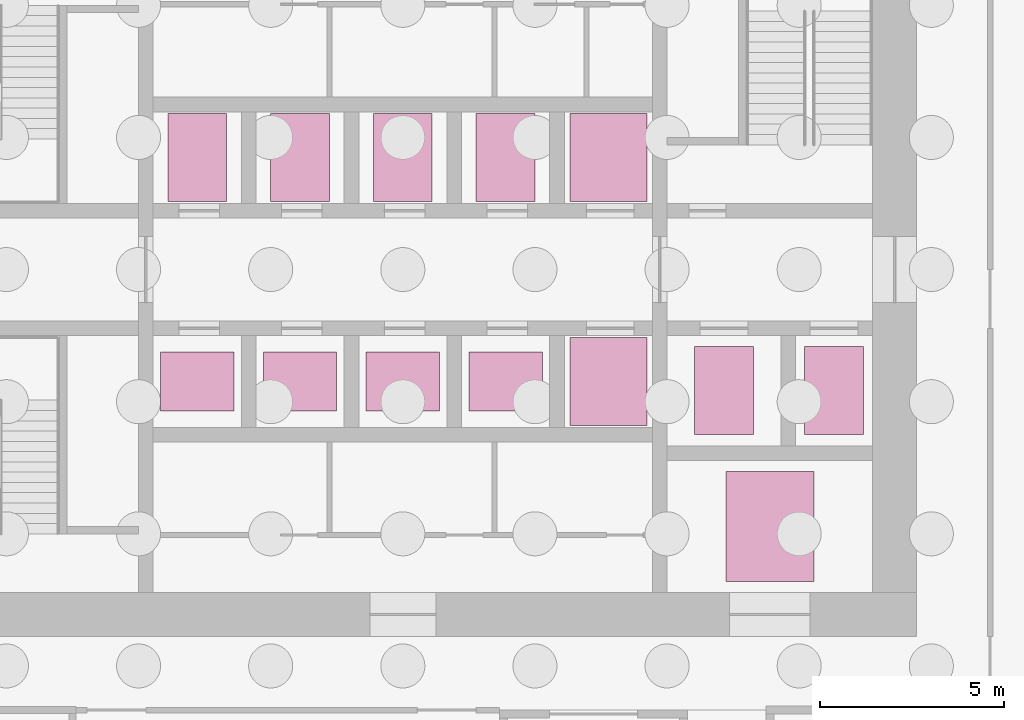
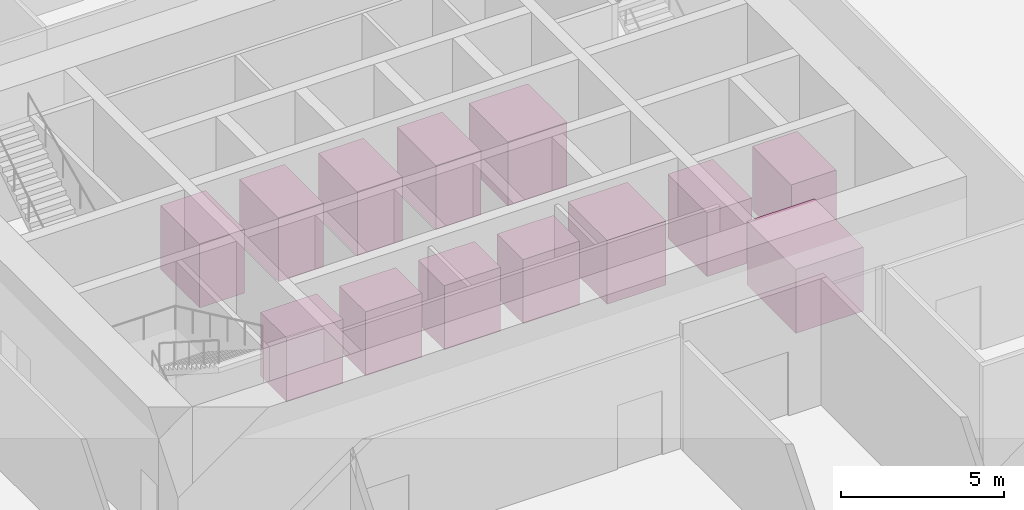
# One storey, part 29 of 29: 13 transport elements.
"""IFC4 building model written with IfcOpenShell, lengths in metres."""

from ifc_helpers import new_model, si_unit, direction, frame, origin, origin_2d, place, context, subcontext, project, spatial, rectangle, extrude, material, type_object, element, save


model = new_model("IFC4")

# Units and contexts
model_context = context("Model", 3, precision=1e-05, world=origin(), true_north=direction((0.0, 1.0)))
body_context = subcontext(model_context, "Body", "Model", "MODEL_VIEW")
ifc_project = project(units=[si_unit("LENGTHUNIT", "METRE"), si_unit("AREAUNIT", "SQUARE_METRE"), si_unit("VOLUMEUNIT", "CUBIC_METRE"), si_unit("PLANEANGLEUNIT", "RADIAN"), si_unit("MASSUNIT", "GRAM", prefix="KILO")], contexts=[model_context])

# Site, building, storey
site_placement = place(None, origin())
site = spatial("IfcSite", under=ifc_project, at=site_placement, CompositionType="ELEMENT")
building_placement = place(site_placement, origin())
building = spatial("IfcBuilding", under=site, at=building_placement, Name="Ghaith Harvest Tower", CompositionType="ELEMENT")
storey_placement = place(building_placement, origin())
storey = spatial("IfcBuildingStorey", under=building, at=storey_placement, Name="L00", CompositionType="ELEMENT", Elevation=0.0)

# Transport elements
ifc_material_1 = material(Name="Steel lift car", Category="steel")
transport_element_type_1 = type_object("IfcTransportElementType", Name="FIRE LIFT CAR 1600x2400", PredefinedType="ELEVATOR", material=ifc_material_1)
for number, where, z_axis, x_axis, name in (
    (1, (8.75, -3.300048828125, 0.0), (0.0, 0.0, 1.0), (1.0, 0.0, 0.0), "Firefighting lift FL1"),
    (2, (11.75, -3.300048828125, 0.0), (0.0, 0.0, 1.0), (1.0, 0.0, 0.0), "Firefighting lift FL2"),
):
    element("IfcTransportElement", number, at=place(storey_placement, frame(where, z_axis=z_axis, x_axis=x_axis)), inside=storey, type_object=transport_element_type_1, Name=name, PredefinedType="ELEVATOR", context=body_context, shape_type="SweptSolid", body=[
        extrude(rectangle(XDim=1.60009765625, YDim=2.39990234375, at=origin_2d()), origin(), (0.0, 0.0, 1.0), 2.39990234375),
    ])
ifc_material_2 = material(Name="Steel lift car", Category="steel")
transport_element_type_2 = type_object("IfcTransportElementType", Name="LIFT CAR 1600x2400", PredefinedType="ELEVATOR", material=ifc_material_2)
for number, where, z_axis, x_axis, name in (
    (3, (-5.60009765625, 3.050048828125, 0.0), (0.0, 0.0, 1.0), (1.0, 0.0, 0.0), "Lift FA1"),
    (4, (-2.800048828125, 3.050048828125, 0.0), (0.0, 0.0, 1.0), (1.0, 0.0, 0.0), "Lift FA2"),
    (5, (0.0, 3.050048828125, 0.0), (0.0, 0.0, 1.0), (1.0, 0.0, 0.0), "Lift FA3"),
    (6, (2.800048828125, 3.050048828125, 0.0), (0.0, 0.0, 1.0), (1.0, 0.0, 0.0), "Lift FA4"),
):
    element("IfcTransportElement", number, at=place(storey_placement, frame(where, z_axis=z_axis, x_axis=x_axis)), inside=storey, type_object=transport_element_type_2, Name=name, PredefinedType="ELEVATOR", context=body_context, shape_type="SweptSolid", body=[
        extrude(rectangle(XDim=1.60009765625, YDim=2.39990234375, at=origin_2d()), origin(), (0.0, 0.0, 1.0), 2.39990234375),
    ])
ifc_material_3 = material(Name="Steel lift car", Category="steel")
transport_element_type_3 = type_object("IfcTransportElementType", Name="LIFT CAR 2000x1600", PredefinedType="ELEVATOR", material=ifc_material_3)
for number, where, z_axis, x_axis, name in (
    (7, (-5.60009765625, -3.050048828125, 0.0), (0.0, 0.0, 1.0), (1.0, 0.0, 0.0), "Lift LR1"),
    (8, (-2.800048828125, -3.050048828125, 0.0), (0.0, 0.0, 1.0), (1.0, 0.0, 0.0), "Lift LR2"),
    (9, (0.0, -3.050048828125, 0.0), (0.0, 0.0, 1.0), (1.0, 0.0, 0.0), "Lift LR3"),
    (10, (2.800048828125, -3.050048828125, 0.0), (0.0, 0.0, 1.0), (1.0, 0.0, 0.0), "Lift LR4"),
):
    element("IfcTransportElement", number, at=place(storey_placement, frame(where, z_axis=z_axis, x_axis=x_axis)), inside=storey, type_object=transport_element_type_3, Name=name, PredefinedType="ELEVATOR", context=body_context, shape_type="SweptSolid", body=[
        extrude(rectangle(XDim=2.0, YDim=1.60009765625, at=origin_2d()), origin(), (0.0, 0.0, 1.0), 2.39990234375),
    ])
ifc_material_4 = material(Name="Steel lift car", Category="steel")
transport_element_type_4 = type_object("IfcTransportElementType", Name="LIFT CAR 2100x2400", PredefinedType="ELEVATOR", material=ifc_material_4)
for number, where, z_axis, x_axis, name in (
    (11, (5.60009765625, 3.050048828125, 0.0), (0.0, 0.0, 1.0), (1.0, 0.0, 0.0), "Lift SH1"),
    (12, (5.60009765625, -3.050048828125, 0.0), (0.0, 0.0, 1.0), (1.0, 0.0, 0.0), "Lift SH2"),
):
    element("IfcTransportElement", number, at=place(storey_placement, frame(where, z_axis=z_axis, x_axis=x_axis)), inside=storey, type_object=transport_element_type_4, Name=name, PredefinedType="ELEVATOR", context=body_context, shape_type="SweptSolid", body=[
        extrude(rectangle(XDim=2.10009765625, YDim=2.39990234375, at=origin_2d()), origin(), (0.0, 0.0, 1.0), 2.39990234375),
    ])
ifc_material_5 = material(Name="Steel lift car", Category="steel")
transport_element_type_5 = type_object("IfcTransportElementType", Name="LIFT CAR 2400x3000", PredefinedType="ELEVATOR", material=ifc_material_5)
transport_element_placement = place(storey_placement, frame((10.0, -7.0, 0.0), z_axis=(0.0, 0.0, 1.0), x_axis=(1.0, 0.0, 0.0)))
element("IfcTransportElement", 13, at=transport_element_placement, inside=storey, type_object=transport_element_type_5, Name="Lift GL1", PredefinedType="ELEVATOR", context=body_context, shape_type="SweptSolid", body=[
    extrude(rectangle(XDim=2.39990234375, YDim=3.0, at=origin_2d()), origin(), (0.0, 0.0, 1.0), 2.39990234375),
])

save(model, "model.ifc")
